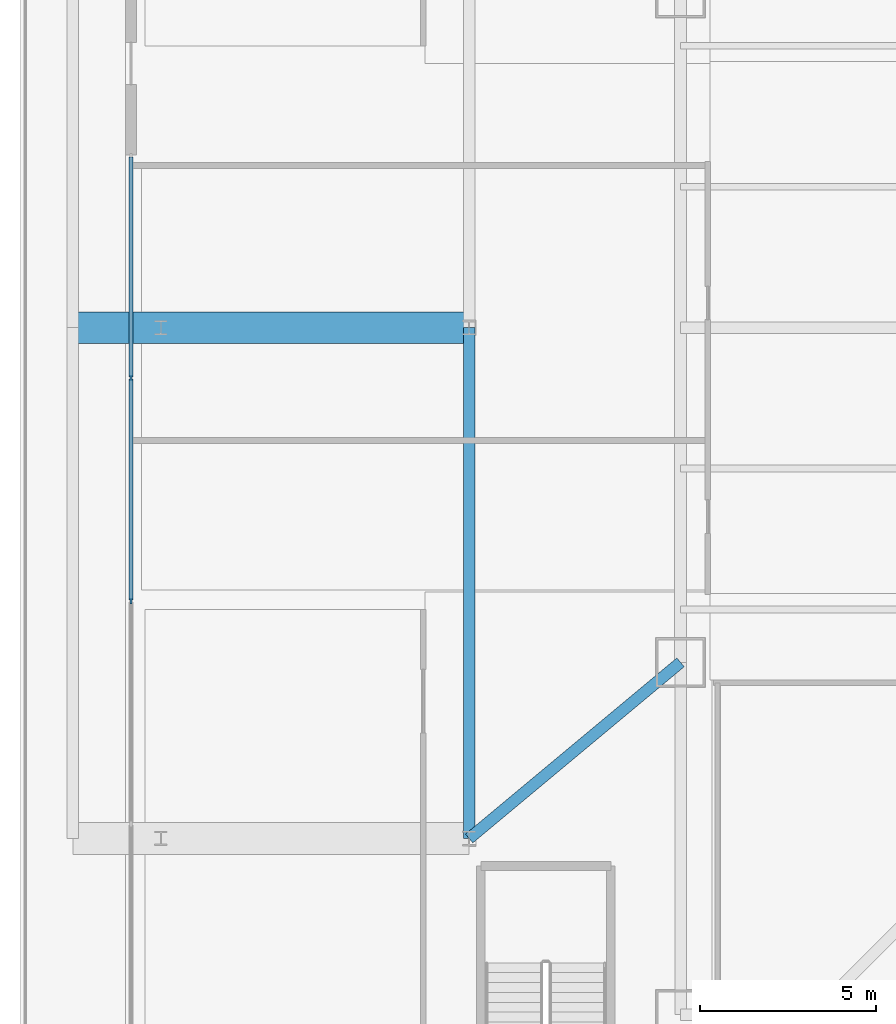
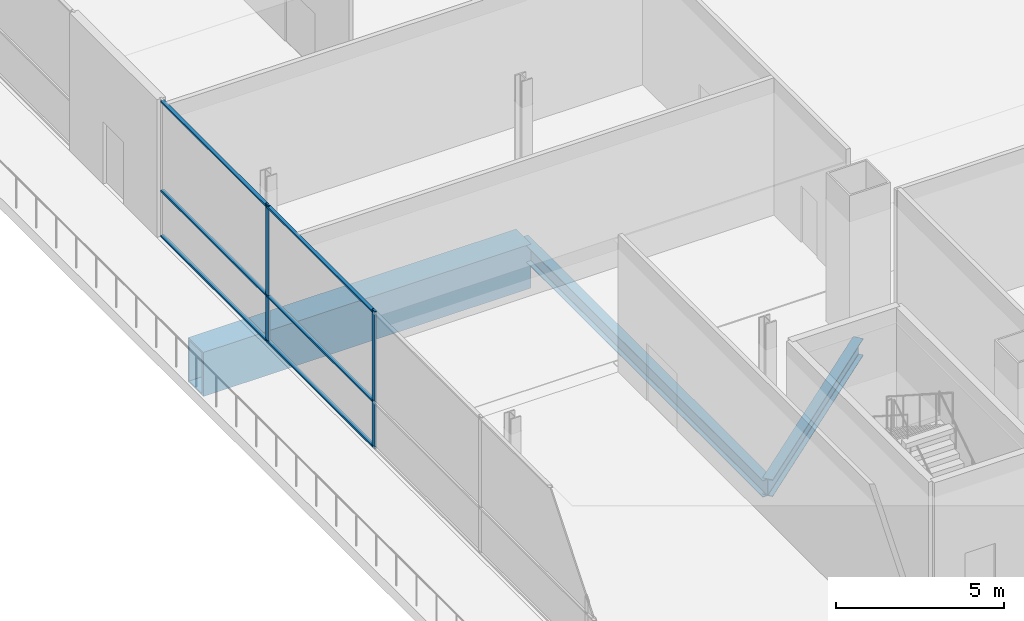
# One storey, part 6 of 36: 8 members, 3 beams, 1 element without a shape of its own.
"""IFC4 building model written with IfcOpenShell, lengths in metres."""

from ifc_helpers import new_model, si_unit, direction, frame, origin, origin_2d, place, context, subcontext, project, spatial, rectangle, hollow_rectangle, i_section, extrude, material, layer, layer_set, material_profile, profile_set, type_object, element, aggregate, save


model = new_model("IFC4")

# Units and contexts
model_context = context("Model", 3, precision=1e-05, world=origin(), true_north=direction((0.0, 1.0)))
body_context = subcontext(model_context, "Body", "Model", "MODEL_VIEW")
ifc_project = project(units=[si_unit("LENGTHUNIT", "METRE"), si_unit("AREAUNIT", "SQUARE_METRE"), si_unit("VOLUMEUNIT", "CUBIC_METRE"), si_unit("PLANEANGLEUNIT", "RADIAN"), si_unit("MASSUNIT", "GRAM", prefix="KILO")], contexts=[model_context])

# Site, building, storey
site_placement = place(None, origin())
site = spatial("IfcSite", under=ifc_project, at=site_placement, CompositionType="ELEMENT")
building_placement = place(site_placement, origin())
building = spatial("IfcBuilding", under=site, at=building_placement, Name="Trevonay Congress Spire", CompositionType="ELEMENT")
storey_placement = place(building_placement, frame((0.0, 0.0, 5.39990234375)))
storey = spatial("IfcBuildingStorey", under=building, at=storey_placement, Name="L01", CompositionType="ELEMENT", Elevation=5.39990234375)

# Beams
ifc_material_1 = material(Name="Steel ASTM A572 Grade 50", Category="steel")
ifc_material_profile_1 = material_profile(ifc_material_1, i_section(OverallWidth=0.324951171875, OverallDepth=0.615966796875, WebThickness=0.013916015625, FlangeThickness=0.021484375, FilletRadius=0.01806640625, at=origin_2d()), Name="W610x174")
ifc_profile_set_1 = profile_set([ifc_material_profile_1], Name="Steel ASTM A572 Grade 50")
beam_type_1 = type_object("IfcBeamType", Name="BM-GIRD-W610X174", PredefinedType="BEAM", material=ifc_profile_set_1)
beam_1_placement = place(storey_placement, frame((-29.25, -14.5, -0.7080078125), z_axis=(0.0, 1.0, 0.0), x_axis=(-1.0, 0.0, 0.0)))
element("IfcBeam", 1, at=beam_1_placement, inside=storey, type_object=beam_type_1, Name="L01 structural beam BM-L01-POD-WL", PredefinedType="BEAM", context=body_context, shape_type="SweptSolid", body=[
    extrude(i_section(OverallWidth=0.324951171875, OverallDepth=0.615966796875, WebThickness=0.013916015625, FlangeThickness=0.021484375, FilletRadius=0.01806640625, at=origin_2d()), origin(), (0.0, 0.0, 1.0), 14.5),
])
beam_2_placement = place(storey_placement, frame((-23.25, -9.5, -0.7080078125), z_axis=(-0.768221279597, -0.640184399664, 0.0), x_axis=(0.640184399664, -0.768221279597, 0.0)))
element("IfcBeam", 2, at=beam_2_placement, inside=storey, type_object=beam_type_1, Name="L01 structural beam BM-L01-POD-WT1", PredefinedType="BEAM", context=body_context, shape_type="SweptSolid", body=[
    extrude(i_section(OverallWidth=0.324951171875, OverallDepth=0.615966796875, WebThickness=0.013916015625, FlangeThickness=0.021484375, FilletRadius=0.01806640625, at=origin_2d()), origin(), (0.0, 0.0, 1.0), 7.810302734375),
])
ifc_material_profile_2 = material_profile(ifc_material_1, hollow_rectangle(XDim=0.89990234375, YDim=1.60009765625, WallThickness=0.06005859375, at=origin_2d()), Name="BOX 1600x900x60")
ifc_profile_set_2 = profile_set([ifc_material_profile_2], Name="Steel ASTM A572 Grade 50")
beam_type_2 = type_object("IfcBeamType", Name="BM-XFER-BOX1600", PredefinedType="BEAM", material=ifc_profile_set_2)
beam_3_placement = place(storey_placement, frame((-29.25, 0.0, -1.199951171875), z_axis=(-1.0, 0.0, 0.0), x_axis=(0.0, -1.0, 0.0)))
element("IfcBeam", 3, at=beam_3_placement, inside=storey, type_object=beam_type_2, Name="L01 structural beam BM-L01-EXW-C", PredefinedType="BEAM", context=body_context, shape_type="SweptSolid", body=[
    extrude(hollow_rectangle(XDim=0.89990234375, YDim=1.60009765625, WallThickness=0.06005859375, at=origin_2d()), origin(), (0.0, 0.0, 1.0), 11.25),
])

# Curtain wall, members
ifc_material_2 = material(Name="Pale Anodised Aluminium EN AW-6063-T6", Category="aluminium")
ifc_layer = layer(ifc_material_2, 0.179931640625, Name="Pale Anodised Aluminium EN AW-6063-T6")
ifc_layer_set = layer_set([ifc_layer], Name="Pale Anodised Aluminium EN AW-6063-T6")
curtain_wall_type = type_object("IfcCurtainWallType", Name="CW-SYS01-PODIUM-PALE-METAL", PredefinedType="NOTDEFINED", material=ifc_layer_set)
curtain_wall_placement = place(storey_placement, origin())
curtain_wall = element("IfcCurtainWall", 4, at=curtain_wall_placement, inside=storey, type_object=curtain_wall_type, Name="L01 W1 podium curtain wall", PredefinedType="NOTDEFINED")
ifc_material_profile_3 = material_profile(ifc_material_2, rectangle(XDim=0.06005859375, YDim=0.159912109375, at=origin_2d()), Name="CW-MULLION-160-ALUMINIUM")
ifc_profile_set_3 = profile_set([ifc_material_profile_3], Name="Pale Anodised Aluminium EN AW-6063-T6")
member_type_1 = type_object("IfcMemberType", Name="CW-MULLION-160-ALUMINIUM", PredefinedType="MULLION", material=ifc_profile_set_3)
member_1_placement = place(storey_placement, frame((-38.85009765625, -7.760009765625, 0.0), z_axis=(0.0, 0.0, 1.0), x_axis=(-1.0, 0.0, 0.0)))
member_1 = element("IfcMember", 5, at=member_1_placement, type_object=member_type_1, Name="CW01 mullion 4", PredefinedType="MULLION", context=body_context, shape_type="SweptSolid", body=[
    extrude(rectangle(XDim=0.06005859375, YDim=0.159912109375, at=origin_2d()), origin(), (0.0, 0.0, 1.0), 5.0),
])
member_2_placement = place(storey_placement, frame((-38.85009765625, -1.429931640625, 0.0), z_axis=(0.0, 0.0, 1.0), x_axis=(-1.0, 0.0, 0.0)))
member_2 = element("IfcMember", 6, at=member_2_placement, type_object=member_type_1, Name="CW01 mullion 5", PredefinedType="MULLION", context=body_context, shape_type="SweptSolid", body=[
    extrude(rectangle(XDim=0.06005859375, YDim=0.159912109375, at=origin_2d()), origin(), (0.0, 0.0, 1.0), 5.0),
])
ifc_material_profile_4 = material_profile(ifc_material_2, rectangle(XDim=0.1201171875, YDim=0.06005859375, at=origin_2d()), Name="CW-TRANSOM-120-ALUMINIUM")
ifc_profile_set_4 = profile_set([ifc_material_profile_4], Name="Pale Anodised Aluminium EN AW-6063-T6")
member_type_2 = type_object("IfcMemberType", Name="CW-TRANSOM-120-ALUMINIUM", PredefinedType="USERDEFINED", material=ifc_profile_set_4)
member_3_placement = place(storey_placement, frame((-38.85009765625, -7.72998046875, 0.06005859375), z_axis=(0.0, 1.0, 0.0), x_axis=(-1.0, 0.0, 0.0)))
member_3 = element("IfcMember", 7, at=member_3_placement, type_object=member_type_2, Name="CW01 transom 4.1", ObjectType="TRANSOM", PredefinedType="USERDEFINED", context=body_context, shape_type="SweptSolid", body=[
    extrude(rectangle(XDim=0.1201171875, YDim=0.06005859375, at=origin_2d()), origin(), (0.0, 0.0, 1.0), 6.27001953125),
])
member_4_placement = place(storey_placement, frame((-38.85009765625, -7.72998046875, 1.7001953125), z_axis=(0.0, 1.0, 0.0), x_axis=(-1.0, 0.0, 0.0)))
member_4 = element("IfcMember", 8, at=member_4_placement, type_object=member_type_2, Name="CW01 transom 4.2", ObjectType="TRANSOM", PredefinedType="USERDEFINED", context=body_context, shape_type="SweptSolid", body=[
    extrude(rectangle(XDim=0.1201171875, YDim=0.06005859375, at=origin_2d()), origin(), (0.0, 0.0, 1.0), 6.27001953125),
])
member_5_placement = place(storey_placement, frame((-38.85009765625, -7.72998046875, 4.940185546875), z_axis=(0.0, 1.0, 0.0), x_axis=(-1.0, 0.0, 0.0)))
member_5 = element("IfcMember", 9, at=member_5_placement, type_object=member_type_2, Name="CW01 transom 4.3", ObjectType="TRANSOM", PredefinedType="USERDEFINED", context=body_context, shape_type="SweptSolid", body=[
    extrude(rectangle(XDim=0.1201171875, YDim=0.06005859375, at=origin_2d()), origin(), (0.0, 0.0, 1.0), 6.27001953125),
])
member_6_placement = place(storey_placement, frame((-38.85009765625, -1.39990234375, 0.06005859375), z_axis=(0.0, 1.0, 0.0), x_axis=(-1.0, 0.0, 0.0)))
member_6 = element("IfcMember", 10, at=member_6_placement, type_object=member_type_2, Name="CW01 transom 5.1", ObjectType="TRANSOM", PredefinedType="USERDEFINED", context=body_context, shape_type="SweptSolid", body=[
    extrude(rectangle(XDim=0.1201171875, YDim=0.06005859375, at=origin_2d()), origin(), (0.0, 0.0, 1.0), 6.239990234375),
])
member_7_placement = place(storey_placement, frame((-38.85009765625, -1.39990234375, 1.7001953125), z_axis=(0.0, 1.0, 0.0), x_axis=(-1.0, 0.0, 0.0)))
member_7 = element("IfcMember", 11, at=member_7_placement, type_object=member_type_2, Name="CW01 transom 5.2", ObjectType="TRANSOM", PredefinedType="USERDEFINED", context=body_context, shape_type="SweptSolid", body=[
    extrude(rectangle(XDim=0.1201171875, YDim=0.06005859375, at=origin_2d()), origin(), (0.0, 0.0, 1.0), 6.239990234375),
])
member_8_placement = place(storey_placement, frame((-38.85009765625, -1.39990234375, 4.940185546875), z_axis=(0.0, 1.0, 0.0), x_axis=(-1.0, 0.0, 0.0)))
member_8 = element("IfcMember", 12, at=member_8_placement, type_object=member_type_2, Name="CW01 transom 5.3", ObjectType="TRANSOM", PredefinedType="USERDEFINED", context=body_context, shape_type="SweptSolid", body=[
    extrude(rectangle(XDim=0.1201171875, YDim=0.06005859375, at=origin_2d()), origin(), (0.0, 0.0, 1.0), 6.239990234375),
])
aggregate(curtain_wall, [member_1, member_2, member_3, member_4, member_5, member_6, member_7, member_8])

save(model, "model.ifc")
